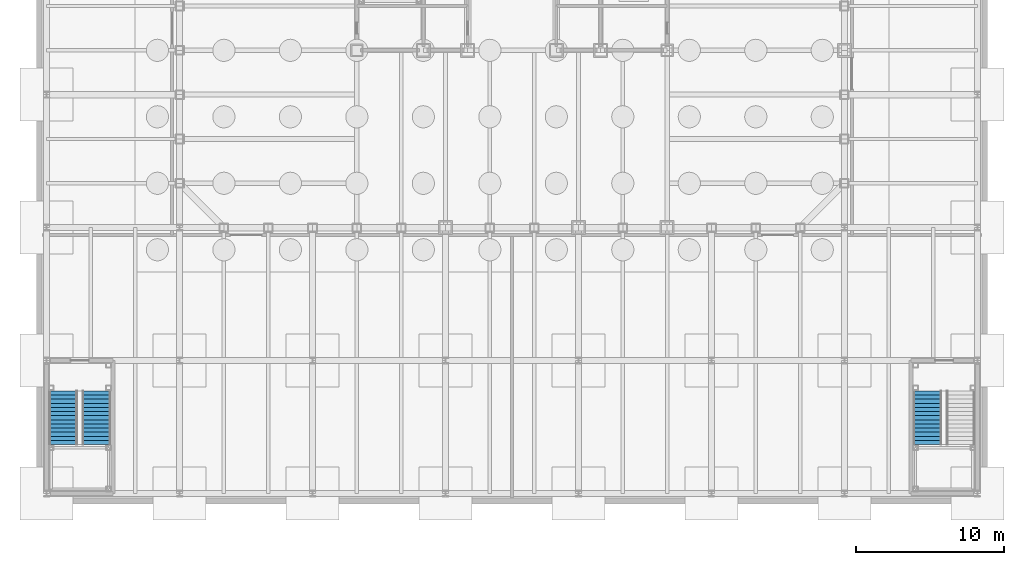
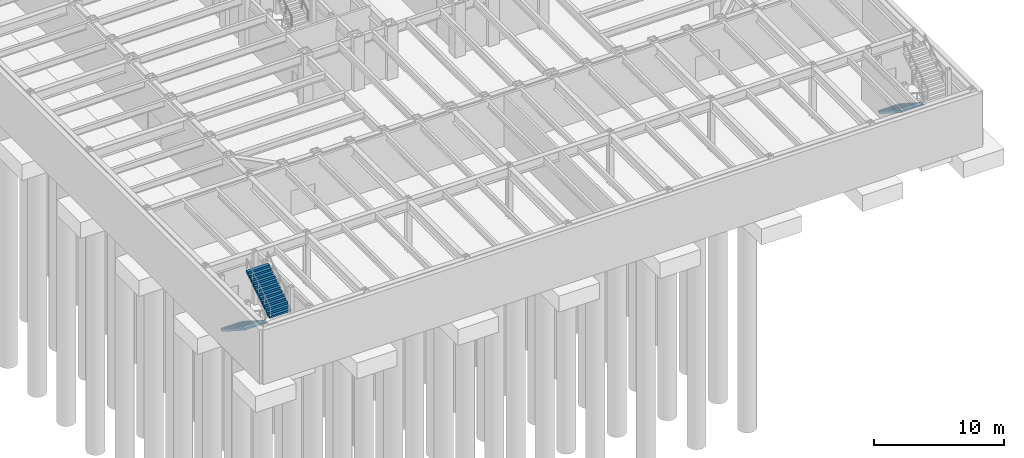
# One storey, part 9 of 18: 3 stair flights, 2 elements without a shape of their own.
"""IFC4 building model written with IfcOpenShell, lengths in metres."""

from ifc_helpers import new_model, si_unit, direction, frame, origin, place, context, subcontext, project, spatial, faceted_brep, material, type_object, element, aggregate, save


model = new_model("IFC4")

# Units and contexts
model_context = context("Model", 3, precision=1e-05, world=origin(), true_north=direction((0.0, 1.0)))
body_context = subcontext(model_context, "Body", "Model", "MODEL_VIEW")
ifc_project = project(units=[si_unit("LENGTHUNIT", "METRE"), si_unit("AREAUNIT", "SQUARE_METRE"), si_unit("VOLUMEUNIT", "CUBIC_METRE"), si_unit("PLANEANGLEUNIT", "RADIAN"), si_unit("MASSUNIT", "GRAM", prefix="KILO")], contexts=[model_context])

# Site, building, storey
site_placement = place(None, origin())
site = spatial("IfcSite", under=ifc_project, at=site_placement, CompositionType="ELEMENT")
building_placement = place(site_placement, origin())
building = spatial("IfcBuilding", under=site, at=building_placement, Name="Chuquiago Exchange Tower", CompositionType="ELEMENT")
storey_placement = place(building_placement, frame((0.0, 0.0, -5.0)))
storey = spatial("IfcBuildingStorey", under=building, at=storey_placement, Name="B1", CompositionType="ELEMENT", Elevation=-5.0)

# Stair, stair flights
ifc_material_1 = material(Name="Concrete C30/37, precast", Category="concrete")
stair_type_1 = type_object("IfcStairType", Name="PS1 half-turn stair 5000", PredefinedType="HALF_TURN_STAIR", material=ifc_material_1)
stair_1_placement = place(storey_placement, origin())
stair_1 = element("IfcStair", 1, at=stair_1_placement, inside=storey, type_object=stair_type_1, Name="Stair PS1 B1", PredefinedType="HALF_TURN_STAIR")
ifc_material_2 = material(Name="Concrete C30/37, precast", Category="concrete")
stair_flight_type = type_object("IfcStairFlightType", Name="ST-F flight 1950 for 5000 storey", PredefinedType="STRAIGHT", material=ifc_material_2)
stair_flight_1_placement = place(storey_placement, frame((-7.875, -11.050048828125, 0.0), z_axis=(0.0, 0.0, 1.0), x_axis=(0.0, -1.0, 0.0)))
stair_flight_1 = element("IfcStairFlight", 2, at=stair_flight_1_placement, type_object=stair_flight_type, Name="PS1 flight 1", NumberOfRisers=14, NumberOfTreads=13, PredefinedType="STRAIGHT", RiserHeight=0.178571429, TreadLength=0.28, context=body_context, shape_type="Brep", body=[
    faceted_brep([(0.0, 0.97509765625, 0.0), (0.0, 0.97509765625, 0.178466796875), (0.280029296875, 0.97509765625, 0.178466796875), (0.280029296875, 0.97509765625, 0.357177734375), (0.56005859375, 0.97509765625, 0.357177734375), (0.56005859375, 0.97509765625, 0.53564453125), (0.840087890625, 0.97509765625, 0.53564453125), (0.840087890625, 0.97509765625, 0.71435546875), (1.1201171875, 0.97509765625, 0.71435546875), (1.1201171875, 0.97509765625, 0.892822265625), (1.39990234375, 0.97509765625, 0.892822265625), (1.39990234375, 0.97509765625, 1.071533203125), (1.679931640625, 0.97509765625, 1.071533203125), (1.679931640625, 0.97509765625, 1.25), (1.9599609375, 0.97509765625, 1.25), (1.9599609375, 0.97509765625, 1.428466796875), (2.239990234375, 0.97509765625, 1.428466796875), (2.239990234375, 0.97509765625, 1.607177734375), (2.52001953125, 0.97509765625, 1.607177734375), (2.52001953125, 0.97509765625, 1.78564453125), (2.800048828125, 0.97509765625, 1.78564453125), (2.800048828125, 0.97509765625, 1.96435546875), (3.080078125, 0.97509765625, 1.96435546875), (3.080078125, 0.97509765625, 2.142822265625), (3.360107421875, 0.97509765625, 2.142822265625), (3.360107421875, 0.97509765625, 2.321533203125), (3.639892578125, 0.97509765625, 2.321533203125), (3.639892578125, 0.97509765625, 2.1435546875), (0.27880859375, 0.97509765625, 0.0), (0.27880859375, -0.97509765625, 0.0), (3.639892578125, -0.97509765625, 2.1435546875), (3.639892578125, -0.97509765625, 2.321533203125), (3.360107421875, -0.97509765625, 2.321533203125), (3.360107421875, -0.97509765625, 2.142822265625), (3.080078125, -0.97509765625, 2.142822265625), (3.080078125, -0.97509765625, 1.96435546875), (2.800048828125, -0.97509765625, 1.96435546875), (2.800048828125, -0.97509765625, 1.78564453125), (2.52001953125, -0.97509765625, 1.78564453125), (2.52001953125, -0.97509765625, 1.607177734375), (2.239990234375, -0.97509765625, 1.607177734375), (2.239990234375, -0.97509765625, 1.428466796875), (1.9599609375, -0.97509765625, 1.428466796875), (1.9599609375, -0.97509765625, 1.25), (1.679931640625, -0.97509765625, 1.25), (1.679931640625, -0.97509765625, 1.071533203125), (1.39990234375, -0.97509765625, 1.071533203125), (1.39990234375, -0.97509765625, 0.892822265625), (1.1201171875, -0.97509765625, 0.892822265625), (1.1201171875, -0.97509765625, 0.71435546875), (0.840087890625, -0.97509765625, 0.71435546875), (0.840087890625, -0.97509765625, 0.53564453125), (0.56005859375, -0.97509765625, 0.53564453125), (0.56005859375, -0.97509765625, 0.357177734375), (0.280029296875, -0.97509765625, 0.357177734375), (0.280029296875, -0.97509765625, 0.178466796875), (0.0, -0.97509765625, 0.178466796875), (0.0, -0.97509765625, 0.0), (0.0, 0.487548828125, 0.0), (0.0, 0.487548828125, 0.178466796875), (0.0, 0.0, 0.0), (0.0, 0.0, 0.178466796875), (0.0, -0.487548828125, 0.0), (0.0, -0.487548828125, 0.178466796875), (0.280029296875, 0.487548828125, 0.178466796875), (0.280029296875, 0.0, 0.178466796875), (0.280029296875, -0.487548828125, 0.178466796875), (0.280029296875, 0.487548828125, 0.357177734375), (0.280029296875, 0.0, 0.357177734375), (0.280029296875, -0.487548828125, 0.357177734375), (0.56005859375, 0.487548828125, 0.357177734375), (0.56005859375, 0.0, 0.357177734375), (0.56005859375, -0.487548828125, 0.357177734375), (0.56005859375, 0.487548828125, 0.53564453125), (0.56005859375, 0.0, 0.53564453125), (0.56005859375, -0.487548828125, 0.53564453125), (0.840087890625, 0.487548828125, 0.53564453125), (0.840087890625, 0.0, 0.53564453125), (0.840087890625, -0.487548828125, 0.53564453125), (0.840087890625, 0.487548828125, 0.71435546875), (0.840087890625, 0.0, 0.71435546875), (0.840087890625, -0.487548828125, 0.71435546875), (1.1201171875, 0.487548828125, 0.71435546875), (1.1201171875, 0.0, 0.71435546875), (1.1201171875, -0.487548828125, 0.71435546875), (1.1201171875, 0.487548828125, 0.892822265625), (1.1201171875, 0.0, 0.892822265625), (1.1201171875, -0.487548828125, 0.892822265625), (1.39990234375, 0.487548828125, 0.892822265625), (1.39990234375, 0.0, 0.892822265625), (1.39990234375, -0.487548828125, 0.892822265625), (1.39990234375, 0.487548828125, 1.071533203125), (1.39990234375, 0.0, 1.071533203125), (1.39990234375, -0.487548828125, 1.071533203125), (1.679931640625, 0.487548828125, 1.071533203125), (1.679931640625, 0.0, 1.071533203125), (1.679931640625, -0.487548828125, 1.071533203125), (1.679931640625, 0.487548828125, 1.25), (1.679931640625, 0.0, 1.25), (1.679931640625, -0.487548828125, 1.25), (1.9599609375, 0.487548828125, 1.25), (1.9599609375, 0.0, 1.25), (1.9599609375, -0.487548828125, 1.25), (1.9599609375, 0.487548828125, 1.428466796875), (1.9599609375, 0.0, 1.428466796875), (1.9599609375, -0.487548828125, 1.428466796875), (2.239990234375, 0.487548828125, 1.428466796875), (2.239990234375, 0.0, 1.428466796875), (2.239990234375, -0.487548828125, 1.428466796875), (2.239990234375, 0.487548828125, 1.607177734375), (2.239990234375, 0.0, 1.607177734375), (2.239990234375, -0.487548828125, 1.607177734375), (2.52001953125, 0.487548828125, 1.607177734375), (2.52001953125, 0.0, 1.607177734375), (2.52001953125, -0.487548828125, 1.607177734375), (2.52001953125, 0.487548828125, 1.78564453125), (2.52001953125, 0.0, 1.78564453125), (2.52001953125, -0.487548828125, 1.78564453125), (2.800048828125, 0.487548828125, 1.78564453125), (2.800048828125, 0.0, 1.78564453125), (2.800048828125, -0.487548828125, 1.78564453125), (2.800048828125, 0.487548828125, 1.96435546875), (2.800048828125, 0.0, 1.96435546875), (2.800048828125, -0.487548828125, 1.96435546875), (3.080078125, 0.487548828125, 1.96435546875), (3.080078125, 0.0, 1.96435546875), (3.080078125, -0.487548828125, 1.96435546875), (3.080078125, 0.487548828125, 2.142822265625), (3.080078125, 0.0, 2.142822265625), (3.080078125, -0.487548828125, 2.142822265625), (3.360107421875, 0.487548828125, 2.142822265625), (3.360107421875, 0.0, 2.142822265625), (3.360107421875, -0.487548828125, 2.142822265625), (3.360107421875, 0.487548828125, 2.321533203125), (3.360107421875, 0.0, 2.321533203125), (3.360107421875, -0.487548828125, 2.321533203125), (3.639892578125, 0.487548828125, 2.321533203125), (3.639892578125, 0.0, 2.321533203125), (3.639892578125, -0.487548828125, 2.321533203125), (3.639892578125, 0.487548828125, 2.1435546875), (3.639892578125, 0.0, 2.1435546875), (3.639892578125, -0.487548828125, 2.1435546875), (0.27880859375, 0.487548828125, 0.0), (0.27880859375, 0.0, 0.0), (0.27880859375, -0.487548828125, 0.0)], [[[0, 1, 2, 3, 4, 5, 6, 7, 8, 9, 10, 11, 12, 13, 14, 15, 16, 17, 18, 19, 20, 21, 22, 23, 24, 25, 26, 27, 28]], [[29, 30, 31, 32, 33, 34, 35, 36, 37, 38, 39, 40, 41, 42, 43, 44, 45, 46, 47, 48, 49, 50, 51, 52, 53, 54, 55, 56, 57]], [[1, 0, 58, 59]], [[59, 58, 60, 61]], [[61, 60, 62, 63]], [[63, 62, 57, 56]], [[2, 1, 59, 64]], [[64, 59, 61, 65]], [[65, 61, 63, 66]], [[66, 63, 56, 55]], [[3, 2, 64, 67]], [[67, 64, 65, 68]], [[68, 65, 66, 69]], [[69, 66, 55, 54]], [[4, 3, 67, 70]], [[70, 67, 68, 71]], [[71, 68, 69, 72]], [[72, 69, 54, 53]], [[5, 4, 70, 73]], [[73, 70, 71, 74]], [[74, 71, 72, 75]], [[75, 72, 53, 52]], [[6, 5, 73, 76]], [[76, 73, 74, 77]], [[77, 74, 75, 78]], [[78, 75, 52, 51]], [[7, 6, 76, 79]], [[79, 76, 77, 80]], [[80, 77, 78, 81]], [[81, 78, 51, 50]], [[8, 7, 79, 82]], [[82, 79, 80, 83]], [[83, 80, 81, 84]], [[84, 81, 50, 49]], [[9, 8, 82, 85]], [[85, 82, 83, 86]], [[86, 83, 84, 87]], [[87, 84, 49, 48]], [[10, 9, 85, 88]], [[88, 85, 86, 89]], [[89, 86, 87, 90]], [[90, 87, 48, 47]], [[11, 10, 88, 91]], [[91, 88, 89, 92]], [[92, 89, 90, 93]], [[93, 90, 47, 46]], [[12, 11, 91, 94]], [[94, 91, 92, 95]], [[95, 92, 93, 96]], [[96, 93, 46, 45]], [[13, 12, 94, 97]], [[97, 94, 95, 98]], [[98, 95, 96, 99]], [[99, 96, 45, 44]], [[14, 13, 97, 100]], [[100, 97, 98, 101]], [[101, 98, 99, 102]], [[102, 99, 44, 43]], [[15, 14, 100, 103]], [[103, 100, 101, 104]], [[104, 101, 102, 105]], [[105, 102, 43, 42]], [[16, 15, 103, 106]], [[106, 103, 104, 107]], [[107, 104, 105, 108]], [[108, 105, 42, 41]], [[17, 16, 106, 109]], [[109, 106, 107, 110]], [[110, 107, 108, 111]], [[111, 108, 41, 40]], [[18, 17, 109, 112]], [[112, 109, 110, 113]], [[113, 110, 111, 114]], [[114, 111, 40, 39]], [[19, 18, 112, 115]], [[115, 112, 113, 116]], [[116, 113, 114, 117]], [[117, 114, 39, 38]], [[20, 19, 115, 118]], [[118, 115, 116, 119]], [[119, 116, 117, 120]], [[120, 117, 38, 37]], [[21, 20, 118, 121]], [[121, 118, 119, 122]], [[122, 119, 120, 123]], [[123, 120, 37, 36]], [[22, 21, 121, 124]], [[124, 121, 122, 125]], [[125, 122, 123, 126]], [[126, 123, 36, 35]], [[23, 22, 124, 127]], [[127, 124, 125, 128]], [[128, 125, 126, 129]], [[129, 126, 35, 34]], [[24, 23, 127, 130]], [[130, 127, 128, 131]], [[131, 128, 129, 132]], [[132, 129, 34, 33]], [[25, 24, 130, 133]], [[133, 130, 131, 134]], [[134, 131, 132, 135]], [[135, 132, 33, 32]], [[26, 25, 133, 136]], [[136, 133, 134, 137]], [[137, 134, 135, 138]], [[138, 135, 32, 31]], [[27, 26, 136, 139]], [[139, 136, 137, 140]], [[140, 137, 138, 141]], [[141, 138, 31, 30]], [[28, 27, 139, 142]], [[142, 139, 140, 143]], [[143, 140, 141, 144]], [[144, 141, 30, 29]], [[0, 28, 142, 58]], [[58, 142, 143, 60]], [[60, 143, 144, 62]], [[62, 144, 29, 57]]]),
])
stair_flight_2_placement = place(storey_placement, frame((-5.625, -14.68994140625, 2.5), z_axis=(0.0, 0.0, 1.0), x_axis=(0.0, 1.0, 0.0)))
stair_flight_2 = element("IfcStairFlight", 3, at=stair_flight_2_placement, type_object=stair_flight_type, Name="PS1 flight 2", NumberOfRisers=14, NumberOfTreads=13, PredefinedType="STRAIGHT", RiserHeight=0.178571429, TreadLength=0.28, context=body_context, shape_type="Brep", body=[
    faceted_brep([(0.0, 0.97509765625, 0.0), (0.0, 0.97509765625, 0.178466796875), (0.280029296875, 0.97509765625, 0.178466796875), (0.280029296875, 0.97509765625, 0.357177734375), (0.56005859375, 0.97509765625, 0.357177734375), (0.56005859375, 0.97509765625, 0.53564453125), (0.840087890625, 0.97509765625, 0.53564453125), (0.840087890625, 0.97509765625, 0.71435546875), (1.1201171875, 0.97509765625, 0.71435546875), (1.1201171875, 0.97509765625, 0.892822265625), (1.39990234375, 0.97509765625, 0.892822265625), (1.39990234375, 0.97509765625, 1.071533203125), (1.679931640625, 0.97509765625, 1.071533203125), (1.679931640625, 0.97509765625, 1.25), (1.9599609375, 0.97509765625, 1.25), (1.9599609375, 0.97509765625, 1.428466796875), (2.239990234375, 0.97509765625, 1.428466796875), (2.239990234375, 0.97509765625, 1.607177734375), (2.52001953125, 0.97509765625, 1.607177734375), (2.52001953125, 0.97509765625, 1.78564453125), (2.800048828125, 0.97509765625, 1.78564453125), (2.800048828125, 0.97509765625, 1.96435546875), (3.080078125, 0.97509765625, 1.96435546875), (3.080078125, 0.97509765625, 2.142822265625), (3.360107421875, 0.97509765625, 2.142822265625), (3.360107421875, 0.97509765625, 2.321533203125), (3.639892578125, 0.97509765625, 2.321533203125), (3.639892578125, 0.97509765625, 2.1435546875), (0.27880859375, 0.97509765625, 0.0), (0.27880859375, -0.97509765625, 0.0), (3.639892578125, -0.97509765625, 2.1435546875), (3.639892578125, -0.97509765625, 2.321533203125), (3.360107421875, -0.97509765625, 2.321533203125), (3.360107421875, -0.97509765625, 2.142822265625), (3.080078125, -0.97509765625, 2.142822265625), (3.080078125, -0.97509765625, 1.96435546875), (2.800048828125, -0.97509765625, 1.96435546875), (2.800048828125, -0.97509765625, 1.78564453125), (2.52001953125, -0.97509765625, 1.78564453125), (2.52001953125, -0.97509765625, 1.607177734375), (2.239990234375, -0.97509765625, 1.607177734375), (2.239990234375, -0.97509765625, 1.428466796875), (1.9599609375, -0.97509765625, 1.428466796875), (1.9599609375, -0.97509765625, 1.25), (1.679931640625, -0.97509765625, 1.25), (1.679931640625, -0.97509765625, 1.071533203125), (1.39990234375, -0.97509765625, 1.071533203125), (1.39990234375, -0.97509765625, 0.892822265625), (1.1201171875, -0.97509765625, 0.892822265625), (1.1201171875, -0.97509765625, 0.71435546875), (0.840087890625, -0.97509765625, 0.71435546875), (0.840087890625, -0.97509765625, 0.53564453125), (0.56005859375, -0.97509765625, 0.53564453125), (0.56005859375, -0.97509765625, 0.357177734375), (0.280029296875, -0.97509765625, 0.357177734375), (0.280029296875, -0.97509765625, 0.178466796875), (0.0, -0.97509765625, 0.178466796875), (0.0, -0.97509765625, 0.0), (0.0, 0.487548828125, 0.0), (0.0, 0.487548828125, 0.178466796875), (0.0, 0.0, 0.0), (0.0, 0.0, 0.178466796875), (0.0, -0.487548828125, 0.0), (0.0, -0.487548828125, 0.178466796875), (0.280029296875, 0.487548828125, 0.178466796875), (0.280029296875, 0.0, 0.178466796875), (0.280029296875, -0.487548828125, 0.178466796875), (0.280029296875, 0.487548828125, 0.357177734375), (0.280029296875, 0.0, 0.357177734375), (0.280029296875, -0.487548828125, 0.357177734375), (0.56005859375, 0.487548828125, 0.357177734375), (0.56005859375, 0.0, 0.357177734375), (0.56005859375, -0.487548828125, 0.357177734375), (0.56005859375, 0.487548828125, 0.53564453125), (0.56005859375, 0.0, 0.53564453125), (0.56005859375, -0.487548828125, 0.53564453125), (0.840087890625, 0.487548828125, 0.53564453125), (0.840087890625, 0.0, 0.53564453125), (0.840087890625, -0.487548828125, 0.53564453125), (0.840087890625, 0.487548828125, 0.71435546875), (0.840087890625, 0.0, 0.71435546875), (0.840087890625, -0.487548828125, 0.71435546875), (1.1201171875, 0.487548828125, 0.71435546875), (1.1201171875, 0.0, 0.71435546875), (1.1201171875, -0.487548828125, 0.71435546875), (1.1201171875, 0.487548828125, 0.892822265625), (1.1201171875, 0.0, 0.892822265625), (1.1201171875, -0.487548828125, 0.892822265625), (1.39990234375, 0.487548828125, 0.892822265625), (1.39990234375, 0.0, 0.892822265625), (1.39990234375, -0.487548828125, 0.892822265625), (1.39990234375, 0.487548828125, 1.071533203125), (1.39990234375, 0.0, 1.071533203125), (1.39990234375, -0.487548828125, 1.071533203125), (1.679931640625, 0.487548828125, 1.071533203125), (1.679931640625, 0.0, 1.071533203125), (1.679931640625, -0.487548828125, 1.071533203125), (1.679931640625, 0.487548828125, 1.25), (1.679931640625, 0.0, 1.25), (1.679931640625, -0.487548828125, 1.25), (1.9599609375, 0.487548828125, 1.25), (1.9599609375, 0.0, 1.25), (1.9599609375, -0.487548828125, 1.25), (1.9599609375, 0.487548828125, 1.428466796875), (1.9599609375, 0.0, 1.428466796875), (1.9599609375, -0.487548828125, 1.428466796875), (2.239990234375, 0.487548828125, 1.428466796875), (2.239990234375, 0.0, 1.428466796875), (2.239990234375, -0.487548828125, 1.428466796875), (2.239990234375, 0.487548828125, 1.607177734375), (2.239990234375, 0.0, 1.607177734375), (2.239990234375, -0.487548828125, 1.607177734375), (2.52001953125, 0.487548828125, 1.607177734375), (2.52001953125, 0.0, 1.607177734375), (2.52001953125, -0.487548828125, 1.607177734375), (2.52001953125, 0.487548828125, 1.78564453125), (2.52001953125, 0.0, 1.78564453125), (2.52001953125, -0.487548828125, 1.78564453125), (2.800048828125, 0.487548828125, 1.78564453125), (2.800048828125, 0.0, 1.78564453125), (2.800048828125, -0.487548828125, 1.78564453125), (2.800048828125, 0.487548828125, 1.96435546875), (2.800048828125, 0.0, 1.96435546875), (2.800048828125, -0.487548828125, 1.96435546875), (3.080078125, 0.487548828125, 1.96435546875), (3.080078125, 0.0, 1.96435546875), (3.080078125, -0.487548828125, 1.96435546875), (3.080078125, 0.487548828125, 2.142822265625), (3.080078125, 0.0, 2.142822265625), (3.080078125, -0.487548828125, 2.142822265625), (3.360107421875, 0.487548828125, 2.142822265625), (3.360107421875, 0.0, 2.142822265625), (3.360107421875, -0.487548828125, 2.142822265625), (3.360107421875, 0.487548828125, 2.321533203125), (3.360107421875, 0.0, 2.321533203125), (3.360107421875, -0.487548828125, 2.321533203125), (3.639892578125, 0.487548828125, 2.321533203125), (3.639892578125, 0.0, 2.321533203125), (3.639892578125, -0.487548828125, 2.321533203125), (3.639892578125, 0.487548828125, 2.1435546875), (3.639892578125, 0.0, 2.1435546875), (3.639892578125, -0.487548828125, 2.1435546875), (0.27880859375, 0.487548828125, 0.0), (0.27880859375, 0.0, 0.0), (0.27880859375, -0.487548828125, 0.0)], [[[0, 1, 2, 3, 4, 5, 6, 7, 8, 9, 10, 11, 12, 13, 14, 15, 16, 17, 18, 19, 20, 21, 22, 23, 24, 25, 26, 27, 28]], [[29, 30, 31, 32, 33, 34, 35, 36, 37, 38, 39, 40, 41, 42, 43, 44, 45, 46, 47, 48, 49, 50, 51, 52, 53, 54, 55, 56, 57]], [[1, 0, 58, 59]], [[59, 58, 60, 61]], [[61, 60, 62, 63]], [[63, 62, 57, 56]], [[2, 1, 59, 64]], [[64, 59, 61, 65]], [[65, 61, 63, 66]], [[66, 63, 56, 55]], [[3, 2, 64, 67]], [[67, 64, 65, 68]], [[68, 65, 66, 69]], [[69, 66, 55, 54]], [[4, 3, 67, 70]], [[70, 67, 68, 71]], [[71, 68, 69, 72]], [[72, 69, 54, 53]], [[5, 4, 70, 73]], [[73, 70, 71, 74]], [[74, 71, 72, 75]], [[75, 72, 53, 52]], [[6, 5, 73, 76]], [[76, 73, 74, 77]], [[77, 74, 75, 78]], [[78, 75, 52, 51]], [[7, 6, 76, 79]], [[79, 76, 77, 80]], [[80, 77, 78, 81]], [[81, 78, 51, 50]], [[8, 7, 79, 82]], [[82, 79, 80, 83]], [[83, 80, 81, 84]], [[84, 81, 50, 49]], [[9, 8, 82, 85]], [[85, 82, 83, 86]], [[86, 83, 84, 87]], [[87, 84, 49, 48]], [[10, 9, 85, 88]], [[88, 85, 86, 89]], [[89, 86, 87, 90]], [[90, 87, 48, 47]], [[11, 10, 88, 91]], [[91, 88, 89, 92]], [[92, 89, 90, 93]], [[93, 90, 47, 46]], [[12, 11, 91, 94]], [[94, 91, 92, 95]], [[95, 92, 93, 96]], [[96, 93, 46, 45]], [[13, 12, 94, 97]], [[97, 94, 95, 98]], [[98, 95, 96, 99]], [[99, 96, 45, 44]], [[14, 13, 97, 100]], [[100, 97, 98, 101]], [[101, 98, 99, 102]], [[102, 99, 44, 43]], [[15, 14, 100, 103]], [[103, 100, 101, 104]], [[104, 101, 102, 105]], [[105, 102, 43, 42]], [[16, 15, 103, 106]], [[106, 103, 104, 107]], [[107, 104, 105, 108]], [[108, 105, 42, 41]], [[17, 16, 106, 109]], [[109, 106, 107, 110]], [[110, 107, 108, 111]], [[111, 108, 41, 40]], [[18, 17, 109, 112]], [[112, 109, 110, 113]], [[113, 110, 111, 114]], [[114, 111, 40, 39]], [[19, 18, 112, 115]], [[115, 112, 113, 116]], [[116, 113, 114, 117]], [[117, 114, 39, 38]], [[20, 19, 115, 118]], [[118, 115, 116, 119]], [[119, 116, 117, 120]], [[120, 117, 38, 37]], [[21, 20, 118, 121]], [[121, 118, 119, 122]], [[122, 119, 120, 123]], [[123, 120, 37, 36]], [[22, 21, 121, 124]], [[124, 121, 122, 125]], [[125, 122, 123, 126]], [[126, 123, 36, 35]], [[23, 22, 124, 127]], [[127, 124, 125, 128]], [[128, 125, 126, 129]], [[129, 126, 35, 34]], [[24, 23, 127, 130]], [[130, 127, 128, 131]], [[131, 128, 129, 132]], [[132, 129, 34, 33]], [[25, 24, 130, 133]], [[133, 130, 131, 134]], [[134, 131, 132, 135]], [[135, 132, 33, 32]], [[26, 25, 133, 136]], [[136, 133, 134, 137]], [[137, 134, 135, 138]], [[138, 135, 32, 31]], [[27, 26, 136, 139]], [[139, 136, 137, 140]], [[140, 137, 138, 141]], [[141, 138, 31, 30]], [[28, 27, 139, 142]], [[142, 139, 140, 143]], [[143, 140, 141, 144]], [[144, 141, 30, 29]], [[0, 28, 142, 58]], [[58, 142, 143, 60]], [[60, 143, 144, 62]], [[62, 144, 29, 57]]]),
])
aggregate(stair_1, [stair_flight_1, stair_flight_2])

# Stair, stair flight
ifc_material_3 = material(Name="Concrete C30/37, precast", Category="concrete")
stair_type_2 = type_object("IfcStairType", Name="PS2 half-turn stair 5000", PredefinedType="HALF_TURN_STAIR", material=ifc_material_3)
stair_2_placement = place(storey_placement, origin())
stair_2 = element("IfcStair", 4, at=stair_2_placement, inside=storey, type_object=stair_type_2, Name="Stair PS2 B1", PredefinedType="HALF_TURN_STAIR")
stair_flight_3_placement = place(storey_placement, frame((50.625, -11.050048828125, 0.0), z_axis=(0.0, 0.0, 1.0), x_axis=(0.0, -1.0, 0.0)))
stair_flight_3 = element("IfcStairFlight", 5, at=stair_flight_3_placement, type_object=stair_flight_type, Name="PS2 flight 1", NumberOfRisers=14, NumberOfTreads=13, PredefinedType="STRAIGHT", RiserHeight=0.178571429, TreadLength=0.28, context=body_context, shape_type="Brep", body=[
    faceted_brep([(0.0, 0.97509765625, 0.0), (0.0, 0.97509765625, 0.178466796875), (0.280029296875, 0.97509765625, 0.178466796875), (0.280029296875, 0.97509765625, 0.357177734375), (0.56005859375, 0.97509765625, 0.357177734375), (0.56005859375, 0.97509765625, 0.53564453125), (0.840087890625, 0.97509765625, 0.53564453125), (0.840087890625, 0.97509765625, 0.71435546875), (1.1201171875, 0.97509765625, 0.71435546875), (1.1201171875, 0.97509765625, 0.892822265625), (1.39990234375, 0.97509765625, 0.892822265625), (1.39990234375, 0.97509765625, 1.071533203125), (1.679931640625, 0.97509765625, 1.071533203125), (1.679931640625, 0.97509765625, 1.25), (1.9599609375, 0.97509765625, 1.25), (1.9599609375, 0.97509765625, 1.428466796875), (2.239990234375, 0.97509765625, 1.428466796875), (2.239990234375, 0.97509765625, 1.607177734375), (2.52001953125, 0.97509765625, 1.607177734375), (2.52001953125, 0.97509765625, 1.78564453125), (2.800048828125, 0.97509765625, 1.78564453125), (2.800048828125, 0.97509765625, 1.96435546875), (3.080078125, 0.97509765625, 1.96435546875), (3.080078125, 0.97509765625, 2.142822265625), (3.360107421875, 0.97509765625, 2.142822265625), (3.360107421875, 0.97509765625, 2.321533203125), (3.639892578125, 0.97509765625, 2.321533203125), (3.639892578125, 0.97509765625, 2.1435546875), (0.27880859375, 0.97509765625, 0.0), (0.27880859375, -0.97509765625, 0.0), (3.639892578125, -0.97509765625, 2.1435546875), (3.639892578125, -0.97509765625, 2.321533203125), (3.360107421875, -0.97509765625, 2.321533203125), (3.360107421875, -0.97509765625, 2.142822265625), (3.080078125, -0.97509765625, 2.142822265625), (3.080078125, -0.97509765625, 1.96435546875), (2.800048828125, -0.97509765625, 1.96435546875), (2.800048828125, -0.97509765625, 1.78564453125), (2.52001953125, -0.97509765625, 1.78564453125), (2.52001953125, -0.97509765625, 1.607177734375), (2.239990234375, -0.97509765625, 1.607177734375), (2.239990234375, -0.97509765625, 1.428466796875), (1.9599609375, -0.97509765625, 1.428466796875), (1.9599609375, -0.97509765625, 1.25), (1.679931640625, -0.97509765625, 1.25), (1.679931640625, -0.97509765625, 1.071533203125), (1.39990234375, -0.97509765625, 1.071533203125), (1.39990234375, -0.97509765625, 0.892822265625), (1.1201171875, -0.97509765625, 0.892822265625), (1.1201171875, -0.97509765625, 0.71435546875), (0.840087890625, -0.97509765625, 0.71435546875), (0.840087890625, -0.97509765625, 0.53564453125), (0.56005859375, -0.97509765625, 0.53564453125), (0.56005859375, -0.97509765625, 0.357177734375), (0.280029296875, -0.97509765625, 0.357177734375), (0.280029296875, -0.97509765625, 0.178466796875), (0.0, -0.97509765625, 0.178466796875), (0.0, -0.97509765625, 0.0), (0.0, 0.487548828125, 0.0), (0.0, 0.487548828125, 0.178466796875), (0.0, 0.0, 0.0), (0.0, 0.0, 0.178466796875), (0.0, -0.487548828125, 0.0), (0.0, -0.487548828125, 0.178466796875), (0.280029296875, 0.487548828125, 0.178466796875), (0.280029296875, 0.0, 0.178466796875), (0.280029296875, -0.487548828125, 0.178466796875), (0.280029296875, 0.487548828125, 0.357177734375), (0.280029296875, 0.0, 0.357177734375), (0.280029296875, -0.487548828125, 0.357177734375), (0.56005859375, 0.487548828125, 0.357177734375), (0.56005859375, 0.0, 0.357177734375), (0.56005859375, -0.487548828125, 0.357177734375), (0.56005859375, 0.487548828125, 0.53564453125), (0.56005859375, 0.0, 0.53564453125), (0.56005859375, -0.487548828125, 0.53564453125), (0.840087890625, 0.487548828125, 0.53564453125), (0.840087890625, 0.0, 0.53564453125), (0.840087890625, -0.487548828125, 0.53564453125), (0.840087890625, 0.487548828125, 0.71435546875), (0.840087890625, 0.0, 0.71435546875), (0.840087890625, -0.487548828125, 0.71435546875), (1.1201171875, 0.487548828125, 0.71435546875), (1.1201171875, 0.0, 0.71435546875), (1.1201171875, -0.487548828125, 0.71435546875), (1.1201171875, 0.487548828125, 0.892822265625), (1.1201171875, 0.0, 0.892822265625), (1.1201171875, -0.487548828125, 0.892822265625), (1.39990234375, 0.487548828125, 0.892822265625), (1.39990234375, 0.0, 0.892822265625), (1.39990234375, -0.487548828125, 0.892822265625), (1.39990234375, 0.487548828125, 1.071533203125), (1.39990234375, 0.0, 1.071533203125), (1.39990234375, -0.487548828125, 1.071533203125), (1.679931640625, 0.487548828125, 1.071533203125), (1.679931640625, 0.0, 1.071533203125), (1.679931640625, -0.487548828125, 1.071533203125), (1.679931640625, 0.487548828125, 1.25), (1.679931640625, 0.0, 1.25), (1.679931640625, -0.487548828125, 1.25), (1.9599609375, 0.487548828125, 1.25), (1.9599609375, 0.0, 1.25), (1.9599609375, -0.487548828125, 1.25), (1.9599609375, 0.487548828125, 1.428466796875), (1.9599609375, 0.0, 1.428466796875), (1.9599609375, -0.487548828125, 1.428466796875), (2.239990234375, 0.487548828125, 1.428466796875), (2.239990234375, 0.0, 1.428466796875), (2.239990234375, -0.487548828125, 1.428466796875), (2.239990234375, 0.487548828125, 1.607177734375), (2.239990234375, 0.0, 1.607177734375), (2.239990234375, -0.487548828125, 1.607177734375), (2.52001953125, 0.487548828125, 1.607177734375), (2.52001953125, 0.0, 1.607177734375), (2.52001953125, -0.487548828125, 1.607177734375), (2.52001953125, 0.487548828125, 1.78564453125), (2.52001953125, 0.0, 1.78564453125), (2.52001953125, -0.487548828125, 1.78564453125), (2.800048828125, 0.487548828125, 1.78564453125), (2.800048828125, 0.0, 1.78564453125), (2.800048828125, -0.487548828125, 1.78564453125), (2.800048828125, 0.487548828125, 1.96435546875), (2.800048828125, 0.0, 1.96435546875), (2.800048828125, -0.487548828125, 1.96435546875), (3.080078125, 0.487548828125, 1.96435546875), (3.080078125, 0.0, 1.96435546875), (3.080078125, -0.487548828125, 1.96435546875), (3.080078125, 0.487548828125, 2.142822265625), (3.080078125, 0.0, 2.142822265625), (3.080078125, -0.487548828125, 2.142822265625), (3.360107421875, 0.487548828125, 2.142822265625), (3.360107421875, 0.0, 2.142822265625), (3.360107421875, -0.487548828125, 2.142822265625), (3.360107421875, 0.487548828125, 2.321533203125), (3.360107421875, 0.0, 2.321533203125), (3.360107421875, -0.487548828125, 2.321533203125), (3.639892578125, 0.487548828125, 2.321533203125), (3.639892578125, 0.0, 2.321533203125), (3.639892578125, -0.487548828125, 2.321533203125), (3.639892578125, 0.487548828125, 2.1435546875), (3.639892578125, 0.0, 2.1435546875), (3.639892578125, -0.487548828125, 2.1435546875), (0.27880859375, 0.487548828125, 0.0), (0.27880859375, 0.0, 0.0), (0.27880859375, -0.487548828125, 0.0)], [[[0, 1, 2, 3, 4, 5, 6, 7, 8, 9, 10, 11, 12, 13, 14, 15, 16, 17, 18, 19, 20, 21, 22, 23, 24, 25, 26, 27, 28]], [[29, 30, 31, 32, 33, 34, 35, 36, 37, 38, 39, 40, 41, 42, 43, 44, 45, 46, 47, 48, 49, 50, 51, 52, 53, 54, 55, 56, 57]], [[1, 0, 58, 59]], [[59, 58, 60, 61]], [[61, 60, 62, 63]], [[63, 62, 57, 56]], [[2, 1, 59, 64]], [[64, 59, 61, 65]], [[65, 61, 63, 66]], [[66, 63, 56, 55]], [[3, 2, 64, 67]], [[67, 64, 65, 68]], [[68, 65, 66, 69]], [[69, 66, 55, 54]], [[4, 3, 67, 70]], [[70, 67, 68, 71]], [[71, 68, 69, 72]], [[72, 69, 54, 53]], [[5, 4, 70, 73]], [[73, 70, 71, 74]], [[74, 71, 72, 75]], [[75, 72, 53, 52]], [[6, 5, 73, 76]], [[76, 73, 74, 77]], [[77, 74, 75, 78]], [[78, 75, 52, 51]], [[7, 6, 76, 79]], [[79, 76, 77, 80]], [[80, 77, 78, 81]], [[81, 78, 51, 50]], [[8, 7, 79, 82]], [[82, 79, 80, 83]], [[83, 80, 81, 84]], [[84, 81, 50, 49]], [[9, 8, 82, 85]], [[85, 82, 83, 86]], [[86, 83, 84, 87]], [[87, 84, 49, 48]], [[10, 9, 85, 88]], [[88, 85, 86, 89]], [[89, 86, 87, 90]], [[90, 87, 48, 47]], [[11, 10, 88, 91]], [[91, 88, 89, 92]], [[92, 89, 90, 93]], [[93, 90, 47, 46]], [[12, 11, 91, 94]], [[94, 91, 92, 95]], [[95, 92, 93, 96]], [[96, 93, 46, 45]], [[13, 12, 94, 97]], [[97, 94, 95, 98]], [[98, 95, 96, 99]], [[99, 96, 45, 44]], [[14, 13, 97, 100]], [[100, 97, 98, 101]], [[101, 98, 99, 102]], [[102, 99, 44, 43]], [[15, 14, 100, 103]], [[103, 100, 101, 104]], [[104, 101, 102, 105]], [[105, 102, 43, 42]], [[16, 15, 103, 106]], [[106, 103, 104, 107]], [[107, 104, 105, 108]], [[108, 105, 42, 41]], [[17, 16, 106, 109]], [[109, 106, 107, 110]], [[110, 107, 108, 111]], [[111, 108, 41, 40]], [[18, 17, 109, 112]], [[112, 109, 110, 113]], [[113, 110, 111, 114]], [[114, 111, 40, 39]], [[19, 18, 112, 115]], [[115, 112, 113, 116]], [[116, 113, 114, 117]], [[117, 114, 39, 38]], [[20, 19, 115, 118]], [[118, 115, 116, 119]], [[119, 116, 117, 120]], [[120, 117, 38, 37]], [[21, 20, 118, 121]], [[121, 118, 119, 122]], [[122, 119, 120, 123]], [[123, 120, 37, 36]], [[22, 21, 121, 124]], [[124, 121, 122, 125]], [[125, 122, 123, 126]], [[126, 123, 36, 35]], [[23, 22, 124, 127]], [[127, 124, 125, 128]], [[128, 125, 126, 129]], [[129, 126, 35, 34]], [[24, 23, 127, 130]], [[130, 127, 128, 131]], [[131, 128, 129, 132]], [[132, 129, 34, 33]], [[25, 24, 130, 133]], [[133, 130, 131, 134]], [[134, 131, 132, 135]], [[135, 132, 33, 32]], [[26, 25, 133, 136]], [[136, 133, 134, 137]], [[137, 134, 135, 138]], [[138, 135, 32, 31]], [[27, 26, 136, 139]], [[139, 136, 137, 140]], [[140, 137, 138, 141]], [[141, 138, 31, 30]], [[28, 27, 139, 142]], [[142, 139, 140, 143]], [[143, 140, 141, 144]], [[144, 141, 30, 29]], [[0, 28, 142, 58]], [[58, 142, 143, 60]], [[60, 143, 144, 62]], [[62, 144, 29, 57]]]),
])
aggregate(stair_2, [stair_flight_3])

save(model, "model.ifc")
